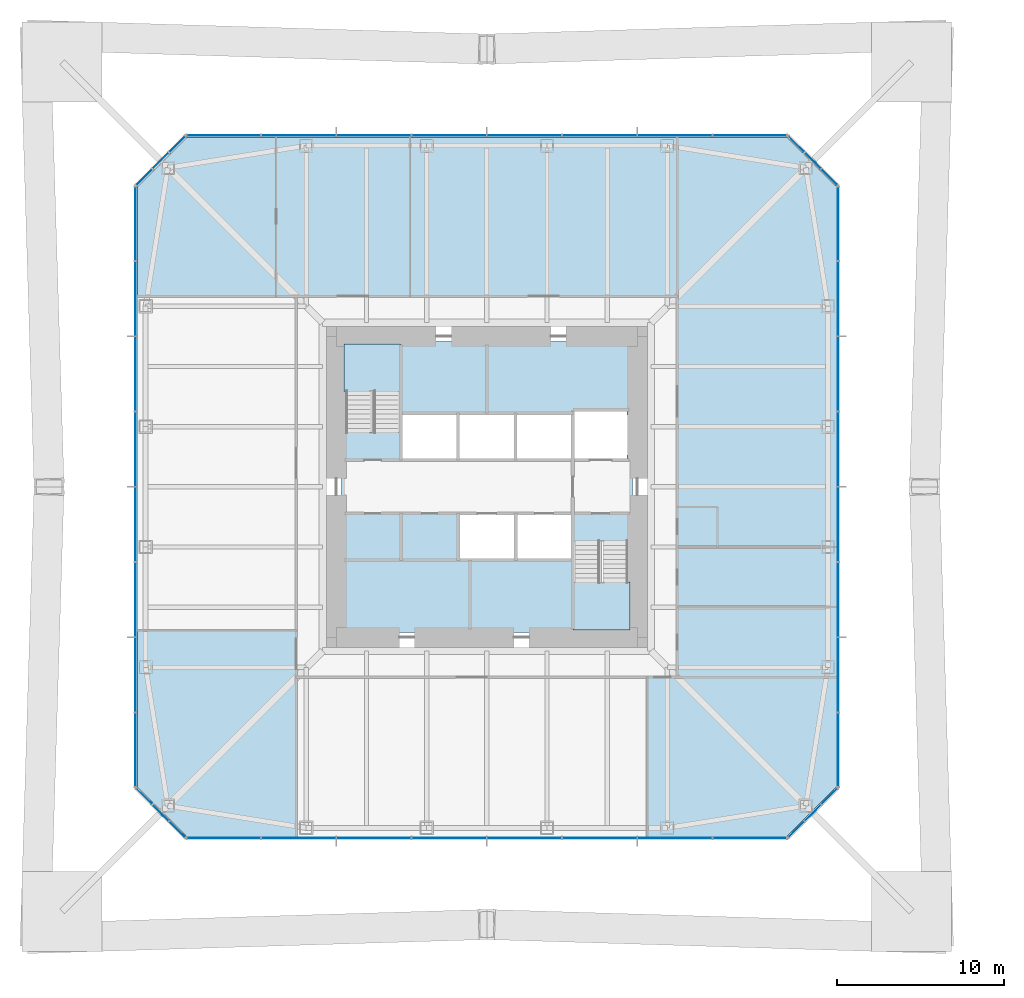
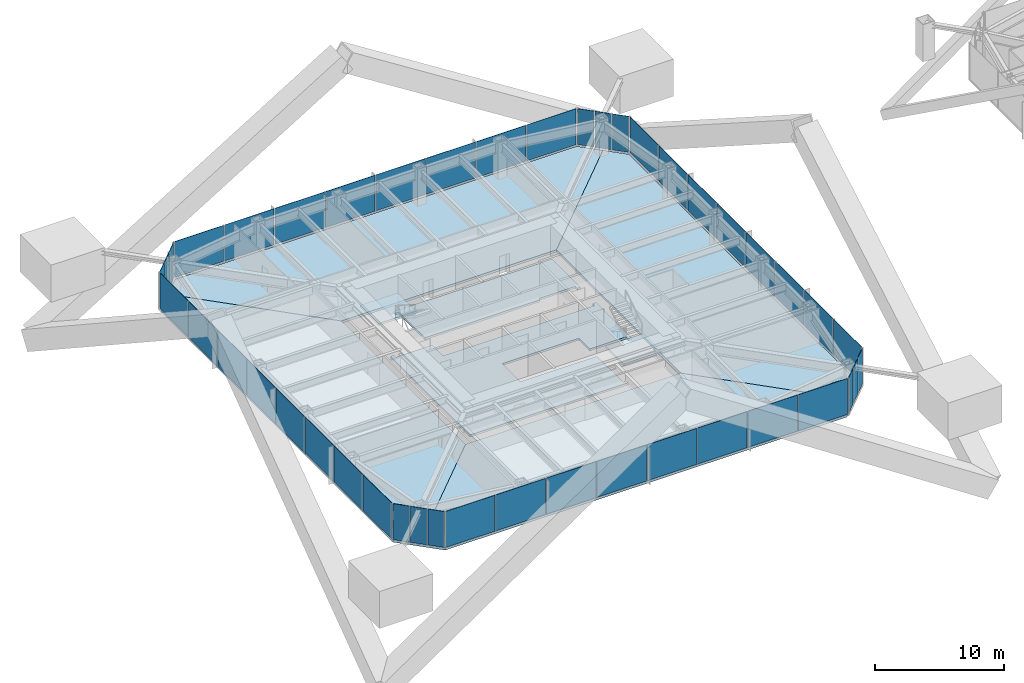
# One storey, part 10 of 21: 44 plates, 8 slabs, 10 elements without a shape of their own.
"""IFC4 building model written with IfcOpenShell, lengths in metres."""

from ifc_helpers import new_model, si_unit, direction, frame, origin, origin_2d, place, context, subcontext, project, spatial, polyline, rectangle, outline, extrude, material, layer, layer_set, constituent, constituent_set, type_object, element, aggregate, save


model = new_model("IFC4")

# Units and contexts
model_context = context("Model", 3, precision=1e-05, world=origin(), true_north=direction((0.0, 1.0)))
body_context = subcontext(model_context, "Body", "Model", "MODEL_VIEW")
ifc_project = project(units=[si_unit("LENGTHUNIT", "METRE"), si_unit("AREAUNIT", "SQUARE_METRE"), si_unit("VOLUMEUNIT", "CUBIC_METRE"), si_unit("PLANEANGLEUNIT", "RADIAN"), si_unit("MASSUNIT", "GRAM", prefix="KILO")], contexts=[model_context])

# Site, building, storey
site_placement = place(None, origin())
site = spatial("IfcSite", under=ifc_project, at=site_placement, CompositionType="ELEMENT")
building_placement = place(site_placement, origin())
building = spatial("IfcBuilding", under=site, at=building_placement, Name="Iwan Alto Co-Living Towers", CompositionType="ELEMENT")
storey_placement = place(building_placement, frame((0.0, 0.0, 80.5)))
storey = spatial("IfcBuildingStorey", under=building, at=storey_placement, Name="L21", CompositionType="ELEMENT", Elevation=80.5)

# Slabs
ifc_material_1 = material(Name="Concrete f'c 30 MPa", Category="concrete")
ifc_layer_1 = layer(ifc_material_1, 0.199951171875)
ifc_layer_set_1 = layer_set([ifc_layer_1], Name="CORE FLOOR SLAB 200")
slab_type_1 = type_object("IfcSlabType", Name="CORE FLOOR SLAB 200", PredefinedType="FLOOR", material=ifc_layer_set_1)
slab_1_placement = place(storey_placement, frame((0.0, 0.0, -0.199951171875)))
element("IfcSlab", 1, at=slab_1_placement, inside=storey, type_object=slab_type_1, Name="T1 core floor L21", PredefinedType="FLOOR", context=body_context, shape_type="SweptSolid", body=[
    extrude(outline(polyline([(5.14990234375, -1.60009765625), (1.72509765625, -1.60009765625), (-1.699951171875, -1.60009765625), (-1.699951171875, -4.39990234375), (1.72509765625, -4.39990234375), (5.14990234375, -4.39990234375), (5.14990234375, -8.39990234375), (5.4599609375, -8.39990234375), (5.4599609375, -8.699951171875), (-8.699951171875, -8.699951171875), (-8.699951171875, 3.580078125), (-8.39990234375, 3.580078125), (-8.39990234375, 3.27001953125), (-5.14990234375, 3.27001953125), (-5.14990234375, 1.60009765625), (-1.717041015625, 1.60009765625), (1.717041015625, 1.60009765625), (5.14990234375, 1.60009765625), (8.39990234375, 1.60009765625), (8.39990234375, 1.909912109375), (8.699951171875, 1.909912109375), (8.699951171875, -3.580078125), (8.39990234375, -3.580078125), (8.39990234375, -3.27001953125), (5.14990234375, -3.27001953125), (5.14990234375, -1.60009765625)])), origin(), (0.0, 0.0, 1.0), 0.199951171875),
])
slab_2_placement = place(storey_placement, frame((0.0, 0.0, -0.199951171875)))
element("IfcSlab", 2, at=slab_2_placement, inside=storey, type_object=slab_type_1, Name="T1 core floor L21", PredefinedType="FLOOR", context=body_context, shape_type="SweptSolid", body=[
    extrude(outline(polyline([(1.717041015625, 4.39990234375), (-1.717041015625, 4.39990234375), (-5.14990234375, 4.39990234375), (-5.14990234375, 8.39990234375), (-5.4599609375, 8.39990234375), (-5.4599609375, 8.699951171875), (8.699951171875, 8.699951171875), (8.699951171875, 4.2900390625), (8.39990234375, 4.2900390625), (8.39990234375, 4.60009765625), (5.14990234375, 4.60009765625), (5.14990234375, 4.39990234375), (1.717041015625, 4.39990234375)])), origin(), (0.0, 0.0, 1.0), 0.199951171875),
])

# Curtain wall, plates
ifc_material_2 = material(Name="Bronze aluminium unitised frame", Category="aluminium")
curtain_wall_type_1 = type_object("IfcCurtainWallType", Name="CURTAIN WALL CW-A", PredefinedType="NOTDEFINED", material=ifc_material_2)
curtain_wall_1_placement = place(storey_placement, origin())
curtain_wall_1 = element("IfcCurtainWall", 3, at=curtain_wall_1_placement, inside=storey, type_object=curtain_wall_type_1, Name="T1 curtain wall S L21", PredefinedType="NOTDEFINED")
ifc_material_3 = material(Name="Bronze-tinted insulating glass", Category="glass")
ifc_layer_2 = layer(ifc_material_3, 0.031982421875)
ifc_layer_set_2 = layer_set([ifc_layer_2], Name="CW-A PANEL TINTED IGU 32")
plate_type_1 = type_object("IfcPlateType", Name="CW-A PANEL TINTED IGU 32", PredefinedType="CURTAIN_PANEL", material=ifc_layer_set_2)
plate_1_placement = place(storey_placement, frame((-15.72998046875, -21.0, 0.10009765625), z_axis=(0.0, 0.0, 1.0), x_axis=(1.0, 0.0, 0.0)))
plate_1 = element("IfcPlate", 4, at=plate_1_placement, type_object=plate_type_1, Name="CW-A panel 1.1", PredefinedType="CURTAIN_PANEL", context=body_context, shape_type="SweptSolid", body=[
    extrude(rectangle(XDim=4.3798828125, YDim=0.031982421875, at=origin_2d()), origin(), (0.0, 0.0, 1.0), 3.39990234375),
])
plate_2_placement = place(storey_placement, frame((-11.25, -21.0, 0.10009765625), z_axis=(0.0, 0.0, 1.0), x_axis=(1.0, 0.0, 0.0)))
plate_2 = element("IfcPlate", 5, at=plate_2_placement, type_object=plate_type_1, Name="CW-A panel 2.1", PredefinedType="CURTAIN_PANEL", context=body_context, shape_type="SweptSolid", body=[
    extrude(rectangle(XDim=4.419921875, YDim=0.031982421875, at=origin_2d()), origin(), (0.0, 0.0, 1.0), 3.39990234375),
])
plate_3_placement = place(storey_placement, frame((-6.75, -21.0, 0.10009765625), z_axis=(0.0, 0.0, 1.0), x_axis=(1.0, 0.0, 0.0)))
plate_3 = element("IfcPlate", 6, at=plate_3_placement, type_object=plate_type_1, Name="CW-A panel 3.1", PredefinedType="CURTAIN_PANEL", context=body_context, shape_type="SweptSolid", body=[
    extrude(rectangle(XDim=4.419921875, YDim=0.031982421875, at=origin_2d()), origin(), (0.0, 0.0, 1.0), 3.39990234375),
])
plate_4_placement = place(storey_placement, frame((-2.25, -21.0, 0.10009765625), z_axis=(0.0, 0.0, 1.0), x_axis=(1.0, 0.0, 0.0)))
plate_4 = element("IfcPlate", 7, at=plate_4_placement, type_object=plate_type_1, Name="CW-A panel 4.1", PredefinedType="CURTAIN_PANEL", context=body_context, shape_type="SweptSolid", body=[
    extrude(rectangle(XDim=4.419921875, YDim=0.031982421875, at=origin_2d()), origin(), (0.0, 0.0, 1.0), 3.39990234375),
])
plate_5_placement = place(storey_placement, frame((2.25, -21.0, 0.10009765625), z_axis=(0.0, 0.0, 1.0), x_axis=(1.0, 0.0, 0.0)))
plate_5 = element("IfcPlate", 8, at=plate_5_placement, type_object=plate_type_1, Name="CW-A panel 5.1", PredefinedType="CURTAIN_PANEL", context=body_context, shape_type="SweptSolid", body=[
    extrude(rectangle(XDim=4.419921875, YDim=0.031982421875, at=origin_2d()), origin(), (0.0, 0.0, 1.0), 3.39990234375),
])
plate_6_placement = place(storey_placement, frame((6.75, -21.0, 0.10009765625), z_axis=(0.0, 0.0, 1.0), x_axis=(1.0, 0.0, 0.0)))
plate_6 = element("IfcPlate", 9, at=plate_6_placement, type_object=plate_type_1, Name="CW-A panel 6.1", PredefinedType="CURTAIN_PANEL", context=body_context, shape_type="SweptSolid", body=[
    extrude(rectangle(XDim=4.419921875, YDim=0.031982421875, at=origin_2d()), origin(), (0.0, 0.0, 1.0), 3.39990234375),
])
plate_7_placement = place(storey_placement, frame((11.25, -21.0, 0.10009765625), z_axis=(0.0, 0.0, 1.0), x_axis=(1.0, 0.0, 0.0)))
plate_7 = element("IfcPlate", 10, at=plate_7_placement, type_object=plate_type_1, Name="CW-A panel 7.1", PredefinedType="CURTAIN_PANEL", context=body_context, shape_type="SweptSolid", body=[
    extrude(rectangle(XDim=4.419921875, YDim=0.031982421875, at=origin_2d()), origin(), (0.0, 0.0, 1.0), 3.39990234375),
])
plate_8_placement = place(storey_placement, frame((15.72998046875, -21.0, 0.10009765625), z_axis=(0.0, 0.0, 1.0), x_axis=(1.0, 0.0, 0.0)))
plate_8 = element("IfcPlate", 11, at=plate_8_placement, type_object=plate_type_1, Name="CW-A panel 8.1", PredefinedType="CURTAIN_PANEL", context=body_context, shape_type="SweptSolid", body=[
    extrude(rectangle(XDim=4.3798828125, YDim=0.031982421875, at=origin_2d()), origin(), (0.0, 0.0, 1.0), 3.39990234375),
])
aggregate(curtain_wall_1, [plate_1, plate_2, plate_3, plate_4, plate_5, plate_6, plate_7, plate_8])

curtain_wall_2_placement = place(storey_placement, origin())
curtain_wall_2 = element("IfcCurtainWall", 12, at=curtain_wall_2_placement, inside=storey, type_object=curtain_wall_type_1, Name="T1 curtain wall E L21", PredefinedType="NOTDEFINED")
plate_9_placement = place(storey_placement, frame((21.0, -15.72998046875, 0.10009765625), z_axis=(0.0, 0.0, 1.0), x_axis=(0.0, 1.0, 0.0)))
plate_9 = element("IfcPlate", 13, at=plate_9_placement, type_object=plate_type_1, Name="CW-A panel 1.1", PredefinedType="CURTAIN_PANEL", context=body_context, shape_type="SweptSolid", body=[
    extrude(rectangle(XDim=4.3798828125, YDim=0.031982421875, at=origin_2d()), origin(), (0.0, 0.0, 1.0), 3.39990234375),
])
plate_10_placement = place(storey_placement, frame((21.0, -11.25, 0.10009765625), z_axis=(0.0, 0.0, 1.0), x_axis=(0.0, 1.0, 0.0)))
plate_10 = element("IfcPlate", 14, at=plate_10_placement, type_object=plate_type_1, Name="CW-A panel 2.1", PredefinedType="CURTAIN_PANEL", context=body_context, shape_type="SweptSolid", body=[
    extrude(rectangle(XDim=4.419921875, YDim=0.031982421875, at=origin_2d()), origin(), (0.0, 0.0, 1.0), 3.39990234375),
])
plate_11_placement = place(storey_placement, frame((21.0, -6.75, 0.10009765625), z_axis=(0.0, 0.0, 1.0), x_axis=(0.0, 1.0, 0.0)))
plate_11 = element("IfcPlate", 15, at=plate_11_placement, type_object=plate_type_1, Name="CW-A panel 3.1", PredefinedType="CURTAIN_PANEL", context=body_context, shape_type="SweptSolid", body=[
    extrude(rectangle(XDim=4.419921875, YDim=0.031982421875, at=origin_2d()), origin(), (0.0, 0.0, 1.0), 3.39990234375),
])
plate_12_placement = place(storey_placement, frame((21.0, -2.25, 0.10009765625), z_axis=(0.0, 0.0, 1.0), x_axis=(0.0, 1.0, 0.0)))
plate_12 = element("IfcPlate", 16, at=plate_12_placement, type_object=plate_type_1, Name="CW-A panel 4.1", PredefinedType="CURTAIN_PANEL", context=body_context, shape_type="SweptSolid", body=[
    extrude(rectangle(XDim=4.419921875, YDim=0.031982421875, at=origin_2d()), origin(), (0.0, 0.0, 1.0), 3.39990234375),
])
plate_13_placement = place(storey_placement, frame((21.0, 2.25, 0.10009765625), z_axis=(0.0, 0.0, 1.0), x_axis=(0.0, 1.0, 0.0)))
plate_13 = element("IfcPlate", 17, at=plate_13_placement, type_object=plate_type_1, Name="CW-A panel 5.1", PredefinedType="CURTAIN_PANEL", context=body_context, shape_type="SweptSolid", body=[
    extrude(rectangle(XDim=4.419921875, YDim=0.031982421875, at=origin_2d()), origin(), (0.0, 0.0, 1.0), 3.39990234375),
])
plate_14_placement = place(storey_placement, frame((21.0, 6.75, 0.10009765625), z_axis=(0.0, 0.0, 1.0), x_axis=(0.0, 1.0, 0.0)))
plate_14 = element("IfcPlate", 18, at=plate_14_placement, type_object=plate_type_1, Name="CW-A panel 6.1", PredefinedType="CURTAIN_PANEL", context=body_context, shape_type="SweptSolid", body=[
    extrude(rectangle(XDim=4.419921875, YDim=0.031982421875, at=origin_2d()), origin(), (0.0, 0.0, 1.0), 3.39990234375),
])
plate_15_placement = place(storey_placement, frame((21.0, 11.25, 0.10009765625), z_axis=(0.0, 0.0, 1.0), x_axis=(0.0, 1.0, 0.0)))
plate_15 = element("IfcPlate", 19, at=plate_15_placement, type_object=plate_type_1, Name="CW-A panel 7.1", PredefinedType="CURTAIN_PANEL", context=body_context, shape_type="SweptSolid", body=[
    extrude(rectangle(XDim=4.419921875, YDim=0.031982421875, at=origin_2d()), origin(), (0.0, 0.0, 1.0), 3.39990234375),
])
plate_16_placement = place(storey_placement, frame((21.0, 15.72998046875, 0.10009765625), z_axis=(0.0, 0.0, 1.0), x_axis=(0.0, 1.0, 0.0)))
plate_16 = element("IfcPlate", 20, at=plate_16_placement, type_object=plate_type_1, Name="CW-A panel 8.1", PredefinedType="CURTAIN_PANEL", context=body_context, shape_type="SweptSolid", body=[
    extrude(rectangle(XDim=4.3798828125, YDim=0.031982421875, at=origin_2d()), origin(), (0.0, 0.0, 1.0), 3.39990234375),
])
aggregate(curtain_wall_2, [plate_9, plate_10, plate_11, plate_12, plate_13, plate_14, plate_15, plate_16])

curtain_wall_3_placement = place(storey_placement, origin())
curtain_wall_3 = element("IfcCurtainWall", 21, at=curtain_wall_3_placement, inside=storey, type_object=curtain_wall_type_1, Name="T1 curtain wall N L21", PredefinedType="NOTDEFINED")
plate_17_placement = place(storey_placement, frame((15.72998046875, 21.0, 0.10009765625), z_axis=(0.0, 0.0, 1.0), x_axis=(-1.0, 0.0, 0.0)))
plate_17 = element("IfcPlate", 22, at=plate_17_placement, type_object=plate_type_1, Name="CW-A panel 1.1", PredefinedType="CURTAIN_PANEL", context=body_context, shape_type="SweptSolid", body=[
    extrude(rectangle(XDim=4.3798828125, YDim=0.031982421875, at=origin_2d()), origin(), (0.0, 0.0, 1.0), 3.39990234375),
])
plate_18_placement = place(storey_placement, frame((11.25, 21.0, 0.10009765625), z_axis=(0.0, 0.0, 1.0), x_axis=(-1.0, 0.0, 0.0)))
plate_18 = element("IfcPlate", 23, at=plate_18_placement, type_object=plate_type_1, Name="CW-A panel 2.1", PredefinedType="CURTAIN_PANEL", context=body_context, shape_type="SweptSolid", body=[
    extrude(rectangle(XDim=4.419921875, YDim=0.031982421875, at=origin_2d()), origin(), (0.0, 0.0, 1.0), 3.39990234375),
])
plate_19_placement = place(storey_placement, frame((6.75, 21.0, 0.10009765625), z_axis=(0.0, 0.0, 1.0), x_axis=(-1.0, 0.0, 0.0)))
plate_19 = element("IfcPlate", 24, at=plate_19_placement, type_object=plate_type_1, Name="CW-A panel 3.1", PredefinedType="CURTAIN_PANEL", context=body_context, shape_type="SweptSolid", body=[
    extrude(rectangle(XDim=4.419921875, YDim=0.031982421875, at=origin_2d()), origin(), (0.0, 0.0, 1.0), 3.39990234375),
])
plate_20_placement = place(storey_placement, frame((2.25, 21.0, 0.10009765625), z_axis=(0.0, 0.0, 1.0), x_axis=(-1.0, 0.0, 0.0)))
plate_20 = element("IfcPlate", 25, at=plate_20_placement, type_object=plate_type_1, Name="CW-A panel 4.1", PredefinedType="CURTAIN_PANEL", context=body_context, shape_type="SweptSolid", body=[
    extrude(rectangle(XDim=4.419921875, YDim=0.031982421875, at=origin_2d()), origin(), (0.0, 0.0, 1.0), 3.39990234375),
])
plate_21_placement = place(storey_placement, frame((-2.25, 21.0, 0.10009765625), z_axis=(0.0, 0.0, 1.0), x_axis=(-1.0, 0.0, 0.0)))
plate_21 = element("IfcPlate", 26, at=plate_21_placement, type_object=plate_type_1, Name="CW-A panel 5.1", PredefinedType="CURTAIN_PANEL", context=body_context, shape_type="SweptSolid", body=[
    extrude(rectangle(XDim=4.419921875, YDim=0.031982421875, at=origin_2d()), origin(), (0.0, 0.0, 1.0), 3.39990234375),
])
plate_22_placement = place(storey_placement, frame((-6.75, 21.0, 0.10009765625), z_axis=(0.0, 0.0, 1.0), x_axis=(-1.0, 0.0, 0.0)))
plate_22 = element("IfcPlate", 27, at=plate_22_placement, type_object=plate_type_1, Name="CW-A panel 6.1", PredefinedType="CURTAIN_PANEL", context=body_context, shape_type="SweptSolid", body=[
    extrude(rectangle(XDim=4.419921875, YDim=0.031982421875, at=origin_2d()), origin(), (0.0, 0.0, 1.0), 3.39990234375),
])
plate_23_placement = place(storey_placement, frame((-11.25, 21.0, 0.10009765625), z_axis=(0.0, 0.0, 1.0), x_axis=(-1.0, 0.0, 0.0)))
plate_23 = element("IfcPlate", 28, at=plate_23_placement, type_object=plate_type_1, Name="CW-A panel 7.1", PredefinedType="CURTAIN_PANEL", context=body_context, shape_type="SweptSolid", body=[
    extrude(rectangle(XDim=4.419921875, YDim=0.031982421875, at=origin_2d()), origin(), (0.0, 0.0, 1.0), 3.39990234375),
])
plate_24_placement = place(storey_placement, frame((-15.72998046875, 21.0, 0.10009765625), z_axis=(0.0, 0.0, 1.0), x_axis=(-1.0, 0.0, 0.0)))
plate_24 = element("IfcPlate", 29, at=plate_24_placement, type_object=plate_type_1, Name="CW-A panel 8.1", PredefinedType="CURTAIN_PANEL", context=body_context, shape_type="SweptSolid", body=[
    extrude(rectangle(XDim=4.3798828125, YDim=0.031982421875, at=origin_2d()), origin(), (0.0, 0.0, 1.0), 3.39990234375),
])
aggregate(curtain_wall_3, [plate_17, plate_18, plate_19, plate_20, plate_21, plate_22, plate_23, plate_24])

curtain_wall_4_placement = place(storey_placement, origin())
curtain_wall_4 = element("IfcCurtainWall", 30, at=curtain_wall_4_placement, inside=storey, type_object=curtain_wall_type_1, Name="T1 curtain wall W L21", PredefinedType="NOTDEFINED")
plate_25_placement = place(storey_placement, frame((-21.0, 15.72998046875, 0.10009765625), z_axis=(0.0, 0.0, 1.0), x_axis=(0.0, -1.0, 0.0)))
plate_25 = element("IfcPlate", 31, at=plate_25_placement, type_object=plate_type_1, Name="CW-A panel 1.1", PredefinedType="CURTAIN_PANEL", context=body_context, shape_type="SweptSolid", body=[
    extrude(rectangle(XDim=4.3798828125, YDim=0.031982421875, at=origin_2d()), origin(), (0.0, 0.0, 1.0), 3.39990234375),
])
plate_26_placement = place(storey_placement, frame((-21.0, 11.25, 0.10009765625), z_axis=(0.0, 0.0, 1.0), x_axis=(0.0, -1.0, 0.0)))
plate_26 = element("IfcPlate", 32, at=plate_26_placement, type_object=plate_type_1, Name="CW-A panel 2.1", PredefinedType="CURTAIN_PANEL", context=body_context, shape_type="SweptSolid", body=[
    extrude(rectangle(XDim=4.419921875, YDim=0.031982421875, at=origin_2d()), origin(), (0.0, 0.0, 1.0), 3.39990234375),
])
plate_27_placement = place(storey_placement, frame((-21.0, 6.75, 0.10009765625), z_axis=(0.0, 0.0, 1.0), x_axis=(0.0, -1.0, 0.0)))
plate_27 = element("IfcPlate", 33, at=plate_27_placement, type_object=plate_type_1, Name="CW-A panel 3.1", PredefinedType="CURTAIN_PANEL", context=body_context, shape_type="SweptSolid", body=[
    extrude(rectangle(XDim=4.419921875, YDim=0.031982421875, at=origin_2d()), origin(), (0.0, 0.0, 1.0), 3.39990234375),
])
plate_28_placement = place(storey_placement, frame((-21.0, 2.25, 0.10009765625), z_axis=(0.0, 0.0, 1.0), x_axis=(0.0, -1.0, 0.0)))
plate_28 = element("IfcPlate", 34, at=plate_28_placement, type_object=plate_type_1, Name="CW-A panel 4.1", PredefinedType="CURTAIN_PANEL", context=body_context, shape_type="SweptSolid", body=[
    extrude(rectangle(XDim=4.419921875, YDim=0.031982421875, at=origin_2d()), origin(), (0.0, 0.0, 1.0), 3.39990234375),
])
plate_29_placement = place(storey_placement, frame((-21.0, -2.25, 0.10009765625), z_axis=(0.0, 0.0, 1.0), x_axis=(0.0, -1.0, 0.0)))
plate_29 = element("IfcPlate", 35, at=plate_29_placement, type_object=plate_type_1, Name="CW-A panel 5.1", PredefinedType="CURTAIN_PANEL", context=body_context, shape_type="SweptSolid", body=[
    extrude(rectangle(XDim=4.419921875, YDim=0.031982421875, at=origin_2d()), origin(), (0.0, 0.0, 1.0), 3.39990234375),
])
plate_30_placement = place(storey_placement, frame((-21.0, -6.75, 0.10009765625), z_axis=(0.0, 0.0, 1.0), x_axis=(0.0, -1.0, 0.0)))
plate_30 = element("IfcPlate", 36, at=plate_30_placement, type_object=plate_type_1, Name="CW-A panel 6.1", PredefinedType="CURTAIN_PANEL", context=body_context, shape_type="SweptSolid", body=[
    extrude(rectangle(XDim=4.419921875, YDim=0.031982421875, at=origin_2d()), origin(), (0.0, 0.0, 1.0), 3.39990234375),
])
plate_31_placement = place(storey_placement, frame((-21.0, -11.25, 0.10009765625), z_axis=(0.0, 0.0, 1.0), x_axis=(0.0, -1.0, 0.0)))
plate_31 = element("IfcPlate", 37, at=plate_31_placement, type_object=plate_type_1, Name="CW-A panel 7.1", PredefinedType="CURTAIN_PANEL", context=body_context, shape_type="SweptSolid", body=[
    extrude(rectangle(XDim=4.419921875, YDim=0.031982421875, at=origin_2d()), origin(), (0.0, 0.0, 1.0), 3.39990234375),
])
plate_32_placement = place(storey_placement, frame((-21.0, -15.72998046875, 0.10009765625), z_axis=(0.0, 0.0, 1.0), x_axis=(0.0, -1.0, 0.0)))
plate_32 = element("IfcPlate", 38, at=plate_32_placement, type_object=plate_type_1, Name="CW-A panel 8.1", PredefinedType="CURTAIN_PANEL", context=body_context, shape_type="SweptSolid", body=[
    extrude(rectangle(XDim=4.3798828125, YDim=0.031982421875, at=origin_2d()), origin(), (0.0, 0.0, 1.0), 3.39990234375),
])
aggregate(curtain_wall_4, [plate_25, plate_26, plate_27, plate_28, plate_29, plate_30, plate_31, plate_32])

ifc_material_4 = material(Name="Bronze aluminium unitised frame", Category="aluminium")
curtain_wall_type_2 = type_object("IfcCurtainWallType", Name="CURTAIN WALL CW-B", PredefinedType="NOTDEFINED", material=ifc_material_4)
curtain_wall_5_placement = place(storey_placement, origin())
curtain_wall_5 = element("IfcCurtainWall", 39, at=curtain_wall_5_placement, inside=storey, type_object=curtain_wall_type_2, Name="T1 chamfer curtain wall SE L21", PredefinedType="NOTDEFINED")
ifc_material_5 = material(Name="Bronze-tinted insulating glass", Category="glass")
ifc_layer_3 = layer(ifc_material_5, 0.031982421875)
ifc_layer_set_3 = layer_set([ifc_layer_3], Name="CW-B PANEL TINTED IGU 32")
plate_type_2 = type_object("IfcPlateType", Name="CW-B PANEL TINTED IGU 32", PredefinedType="CURTAIN_PANEL", material=ifc_layer_set_3)
plate_33_placement = place(storey_placement, frame((18.51416015625, -20.48583984375, 0.10009765625), z_axis=(0.0, 0.0, 1.0), x_axis=(0.707106781187, 0.707106781187, 0.0)))
plate_33 = element("IfcPlate", 40, at=plate_33_placement, type_object=plate_type_2, Name="CW-B panel 1.1", PredefinedType="CURTAIN_PANEL", context=body_context, shape_type="SweptSolid", body=[
    extrude(rectangle(XDim=1.294189453125, YDim=0.031982421875, at=origin_2d()), origin(), (0.0, 0.0, 1.0), 3.39990234375),
])
plate_34_placement = place(storey_placement, frame((19.5, -19.5, 0.10009765625), z_axis=(0.0, 0.0, 1.0), x_axis=(0.707106781187, 0.707106781187, 0.0)))
plate_34 = element("IfcPlate", 41, at=plate_34_placement, type_object=plate_type_2, Name="CW-B panel 2.1", PredefinedType="CURTAIN_PANEL", context=body_context, shape_type="SweptSolid", body=[
    extrude(rectangle(XDim=1.334228515625, YDim=0.031982421875, at=origin_2d()), origin(), (0.0, 0.0, 1.0), 3.39990234375),
])
plate_35_placement = place(storey_placement, frame((20.48583984375, -18.51416015625, 0.10009765625), z_axis=(0.0, 0.0, 1.0), x_axis=(0.707106781187, 0.707106781187, 0.0)))
plate_35 = element("IfcPlate", 42, at=plate_35_placement, type_object=plate_type_2, Name="CW-B panel 3.1", PredefinedType="CURTAIN_PANEL", context=body_context, shape_type="SweptSolid", body=[
    extrude(rectangle(XDim=1.294189453125, YDim=0.031982421875, at=origin_2d()), origin(), (0.0, 0.0, 1.0), 3.39990234375),
])
aggregate(curtain_wall_5, [plate_33, plate_34, plate_35])

curtain_wall_6_placement = place(storey_placement, origin())
curtain_wall_6 = element("IfcCurtainWall", 43, at=curtain_wall_6_placement, inside=storey, type_object=curtain_wall_type_2, Name="T1 chamfer curtain wall NE L21", PredefinedType="NOTDEFINED")
plate_36_placement = place(storey_placement, frame((20.48583984375, 18.51416015625, 0.10009765625), z_axis=(0.0, 0.0, 1.0), x_axis=(-0.707106781187, 0.707106781187, 0.0)))
plate_36 = element("IfcPlate", 44, at=plate_36_placement, type_object=plate_type_2, Name="CW-B panel 1.1", PredefinedType="CURTAIN_PANEL", context=body_context, shape_type="SweptSolid", body=[
    extrude(rectangle(XDim=1.294189453125, YDim=0.031982421875, at=origin_2d()), origin(), (0.0, 0.0, 1.0), 3.39990234375),
])
plate_37_placement = place(storey_placement, frame((19.5, 19.5, 0.10009765625), z_axis=(0.0, 0.0, 1.0), x_axis=(-0.707106781187, 0.707106781187, 0.0)))
plate_37 = element("IfcPlate", 45, at=plate_37_placement, type_object=plate_type_2, Name="CW-B panel 2.1", PredefinedType="CURTAIN_PANEL", context=body_context, shape_type="SweptSolid", body=[
    extrude(rectangle(XDim=1.334228515625, YDim=0.031982421875, at=origin_2d()), origin(), (0.0, 0.0, 1.0), 3.39990234375),
])
plate_38_placement = place(storey_placement, frame((18.51416015625, 20.48583984375, 0.10009765625), z_axis=(0.0, 0.0, 1.0), x_axis=(-0.707106781187, 0.707106781187, 0.0)))
plate_38 = element("IfcPlate", 46, at=plate_38_placement, type_object=plate_type_2, Name="CW-B panel 3.1", PredefinedType="CURTAIN_PANEL", context=body_context, shape_type="SweptSolid", body=[
    extrude(rectangle(XDim=1.294189453125, YDim=0.031982421875, at=origin_2d()), origin(), (0.0, 0.0, 1.0), 3.39990234375),
])
aggregate(curtain_wall_6, [plate_36, plate_37, plate_38])

curtain_wall_7_placement = place(storey_placement, origin())
curtain_wall_7 = element("IfcCurtainWall", 47, at=curtain_wall_7_placement, inside=storey, type_object=curtain_wall_type_2, Name="T1 chamfer curtain wall NW L21", PredefinedType="NOTDEFINED")
plate_39_placement = place(storey_placement, frame((-18.51416015625, 20.48583984375, 0.10009765625), z_axis=(0.0, 0.0, 1.0), x_axis=(-0.707106781187, -0.707106781187, 0.0)))
plate_39 = element("IfcPlate", 48, at=plate_39_placement, type_object=plate_type_2, Name="CW-B panel 1.1", PredefinedType="CURTAIN_PANEL", context=body_context, shape_type="SweptSolid", body=[
    extrude(rectangle(XDim=1.294189453125, YDim=0.031982421875, at=origin_2d()), origin(), (0.0, 0.0, 1.0), 3.39990234375),
])
plate_40_placement = place(storey_placement, frame((-19.5, 19.5, 0.10009765625), z_axis=(0.0, 0.0, 1.0), x_axis=(-0.707106781187, -0.707106781187, 0.0)))
plate_40 = element("IfcPlate", 49, at=plate_40_placement, type_object=plate_type_2, Name="CW-B panel 2.1", PredefinedType="CURTAIN_PANEL", context=body_context, shape_type="SweptSolid", body=[
    extrude(rectangle(XDim=1.334228515625, YDim=0.031982421875, at=origin_2d()), origin(), (0.0, 0.0, 1.0), 3.39990234375),
])
plate_41_placement = place(storey_placement, frame((-20.48583984375, 18.51416015625, 0.10009765625), z_axis=(0.0, 0.0, 1.0), x_axis=(-0.707106781187, -0.707106781187, 0.0)))
plate_41 = element("IfcPlate", 50, at=plate_41_placement, type_object=plate_type_2, Name="CW-B panel 3.1", PredefinedType="CURTAIN_PANEL", context=body_context, shape_type="SweptSolid", body=[
    extrude(rectangle(XDim=1.294189453125, YDim=0.031982421875, at=origin_2d()), origin(), (0.0, 0.0, 1.0), 3.39990234375),
])
aggregate(curtain_wall_7, [plate_39, plate_40, plate_41])

curtain_wall_8_placement = place(storey_placement, origin())
curtain_wall_8 = element("IfcCurtainWall", 51, at=curtain_wall_8_placement, inside=storey, type_object=curtain_wall_type_2, Name="T1 chamfer curtain wall SW L21", PredefinedType="NOTDEFINED")
plate_42_placement = place(storey_placement, frame((-20.48583984375, -18.51416015625, 0.10009765625), z_axis=(0.0, 0.0, 1.0), x_axis=(0.707106781187, -0.707106781187, 0.0)))
plate_42 = element("IfcPlate", 52, at=plate_42_placement, type_object=plate_type_2, Name="CW-B panel 1.1", PredefinedType="CURTAIN_PANEL", context=body_context, shape_type="SweptSolid", body=[
    extrude(rectangle(XDim=1.294189453125, YDim=0.031982421875, at=origin_2d()), origin(), (0.0, 0.0, 1.0), 3.39990234375),
])
plate_43_placement = place(storey_placement, frame((-19.5, -19.5, 0.10009765625), z_axis=(0.0, 0.0, 1.0), x_axis=(0.707106781187, -0.707106781187, 0.0)))
plate_43 = element("IfcPlate", 53, at=plate_43_placement, type_object=plate_type_2, Name="CW-B panel 2.1", PredefinedType="CURTAIN_PANEL", context=body_context, shape_type="SweptSolid", body=[
    extrude(rectangle(XDim=1.334228515625, YDim=0.031982421875, at=origin_2d()), origin(), (0.0, 0.0, 1.0), 3.39990234375),
])
plate_44_placement = place(storey_placement, frame((-18.51416015625, -20.48583984375, 0.10009765625), z_axis=(0.0, 0.0, 1.0), x_axis=(0.707106781187, -0.707106781187, 0.0)))
plate_44 = element("IfcPlate", 54, at=plate_44_placement, type_object=plate_type_2, Name="CW-B panel 3.1", PredefinedType="CURTAIN_PANEL", context=body_context, shape_type="SweptSolid", body=[
    extrude(rectangle(XDim=1.294189453125, YDim=0.031982421875, at=origin_2d()), origin(), (0.0, 0.0, 1.0), 3.39990234375),
])
aggregate(curtain_wall_8, [plate_42, plate_43, plate_44])

# Stair, slab
ifc_material_6 = material(Name="Steel ASTM A36", Category="steel")
ifc_constituent_1 = constituent(ifc_material_6, Name="Stringers", Category="LoadBearing")
ifc_material_7 = material(Name="Concrete f'c 30 MPa", Category="concrete")
ifc_constituent_2 = constituent(ifc_material_7, Name="Tread fill", Category="Finish")
ifc_constituent_set = constituent_set(constituents=[ifc_constituent_1, ifc_constituent_2], Name="STAIR 3500 TWO-FLIGHT T1 CORE")
stair_type = type_object("IfcStairType", Name="STAIR 3500 TWO-FLIGHT T1 CORE", PredefinedType="HALF_TURN_STAIR", material=ifc_constituent_set)
stair_1_placement = place(storey_placement, origin())
stair_1 = element("IfcStair", 55, at=stair_1_placement, inside=storey, type_object=stair_type, Name="Stair T1-S1 L21 to L22", PredefinedType="HALF_TURN_STAIR")
ifc_material_8 = material(Name="Concrete f'c 30 MPa", Category="concrete")
ifc_layer_4 = layer(ifc_material_8, 0.199951171875)
ifc_layer_set_4 = layer_set([ifc_layer_4], Name="STAIR LANDING 200")
slab_type_2 = type_object("IfcSlabType", Name="STAIR LANDING 200", PredefinedType="LANDING", material=ifc_layer_set_4)
slab_3_placement = place(storey_placement, frame((0.0, 0.0, 1.550048828125)))
slab_3 = element("IfcSlab", 56, at=slab_3_placement, type_object=slab_type_2, Name="T1-S1 landing 1", PredefinedType="LANDING", context=body_context, shape_type="SweptSolid", body=[
    extrude(outline(polyline([(-8.550048828125, 5.68994140625), (-8.550048828125, 8.550048828125), (-5.14990234375, 8.550048828125), (-5.14990234375, 5.68994140625), (-8.550048828125, 5.68994140625)])), origin(), (0.0, 0.0, 1.0), 0.199951171875),
])
aggregate(stair_1, [slab_3])

stair_2_placement = place(storey_placement, origin())
stair_2 = element("IfcStair", 57, at=stair_2_placement, inside=storey, type_object=stair_type, Name="Stair T1-S2 L21 to L22", PredefinedType="HALF_TURN_STAIR")
slab_4_placement = place(storey_placement, frame((0.0, 0.0, 1.550048828125)))
slab_4 = element("IfcSlab", 58, at=slab_4_placement, type_object=slab_type_2, Name="T1-S2 landing 1", PredefinedType="LANDING", context=body_context, shape_type="SweptSolid", body=[
    extrude(outline(polyline([(5.14990234375, -5.68994140625), (5.14990234375, -8.550048828125), (8.550048828125, -8.550048828125), (8.550048828125, -5.68994140625), (5.14990234375, -5.68994140625)])), origin(), (0.0, 0.0, 1.0), 0.199951171875),
])
aggregate(stair_2, [slab_4])

# Slabs
ifc_material_9 = material(Name="Concrete f'c 30 MPa", Category="concrete")
ifc_layer_5 = layer(ifc_material_9, 0.22998046875)
ifc_layer_set_5 = layer_set([ifc_layer_5], Name="T1 FLOOR SLAB 230")
slab_type_3 = type_object("IfcSlabType", Name="T1 FLOOR SLAB 230", PredefinedType="FLOOR", material=ifc_layer_set_5)
slab_5_placement = place(storey_placement, frame((0.0, 0.0, -0.22998046875)))
element("IfcSlab", 59, at=slab_5_placement, inside=storey, type_object=slab_type_3, Name="T1 floor slab L21 S pour", PredefinedType="FLOOR", context=body_context, shape_type="SweptSolid", body=[
    extrude(outline(polyline([(17.94140625, -20.89990234375), (-17.94140625, -20.89990234375), (-19.420654296875, -19.420654296875), (-9.60009765625, -9.60009765625), (9.60009765625, -9.60009765625), (19.420654296875, -19.420654296875), (17.94140625, -20.89990234375)])), origin(), (0.0, 0.0, 1.0), 0.22998046875),
])
slab_6_placement = place(storey_placement, frame((0.0, 0.0, -0.22998046875)))
element("IfcSlab", 60, at=slab_6_placement, inside=storey, type_object=slab_type_3, Name="T1 floor slab L21 E pour", PredefinedType="FLOOR", context=body_context, shape_type="SweptSolid", body=[
    extrude(outline(polyline([(20.89990234375, 17.94140625), (20.89990234375, -17.94140625), (19.420654296875, -19.420654296875), (9.60009765625, -9.60009765625), (9.60009765625, 9.60009765625), (19.420654296875, 19.420654296875), (20.89990234375, 17.94140625)])), origin(), (0.0, 0.0, 1.0), 0.22998046875),
])
slab_7_placement = place(storey_placement, frame((0.0, 0.0, -0.22998046875)))
element("IfcSlab", 61, at=slab_7_placement, inside=storey, type_object=slab_type_3, Name="T1 floor slab L21 N pour", PredefinedType="FLOOR", context=body_context, shape_type="SweptSolid", body=[
    extrude(outline(polyline([(-17.94140625, 20.89990234375), (17.94140625, 20.89990234375), (19.420654296875, 19.420654296875), (9.60009765625, 9.60009765625), (-9.60009765625, 9.60009765625), (-19.420654296875, 19.420654296875), (-17.94140625, 20.89990234375)])), origin(), (0.0, 0.0, 1.0), 0.22998046875),
])
slab_8_placement = place(storey_placement, frame((0.0, 0.0, -0.22998046875)))
element("IfcSlab", 62, at=slab_8_placement, inside=storey, type_object=slab_type_3, Name="T1 floor slab L21 W pour", PredefinedType="FLOOR", context=body_context, shape_type="SweptSolid", body=[
    extrude(outline(polyline([(-20.89990234375, 17.94140625), (-19.420654296875, 19.420654296875), (-9.60009765625, 9.60009765625), (-9.60009765625, -9.60009765625), (-19.420654296875, -19.420654296875), (-20.89990234375, -17.94140625), (-20.89990234375, 17.94140625)])), origin(), (0.0, 0.0, 1.0), 0.22998046875),
])

save(model, "model.ifc")
